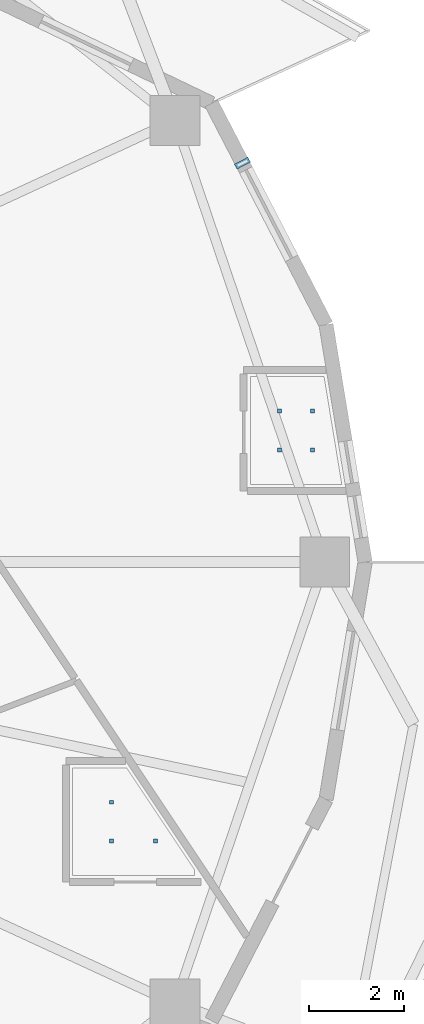
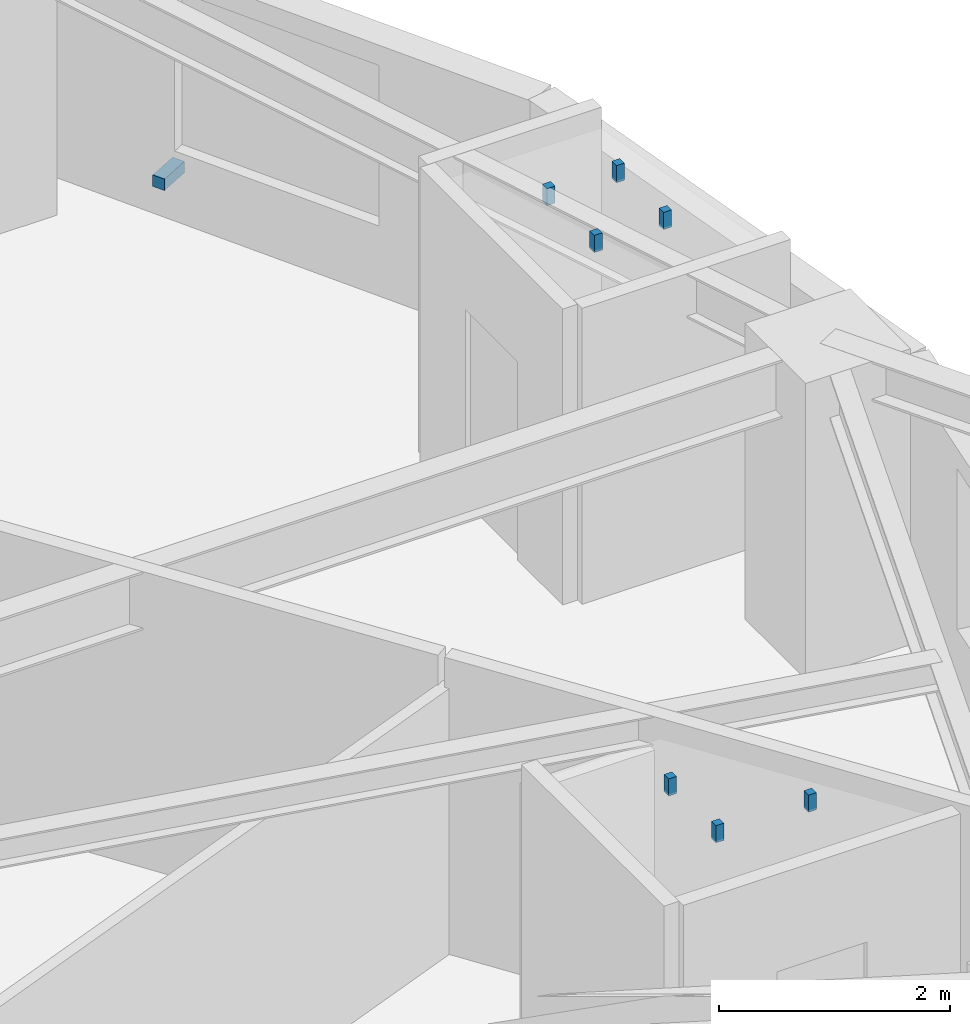
# One storey, part 13 of 18: 8 discrete accessories.
"""IFC4 building model written with IfcOpenShell, lengths in metres."""

import ifcopenshell
import ifcopenshell.guid

model = None  # the IFC model being written
_history = None  # IfcOwnerHistory: only IFC2X3 demands one
_inside = {}  # id of a spatial element -> (the spatial element, [elements in it])
_under = {}  # id of a project, library or spatial element -> (it, [spatial elements below it])
_declared = {}  # id of a project -> (the project, [libraries it declares])
_typed = {}  # id of a type object -> (the type object, [elements of that type])
_made_of = {}  # id of a material, layer set ... -> (it, [elements and type objects made of it])


def new_model(schema):
    """Start an empty IFC model of exactly this schema.

    Asked for "IFC4X3", IfcOpenShell would pick the latest addendum, in which some entities
    have other attributes; the version numbers below select the first issue.
    IFC2X3 requires an IfcOwnerHistory on every rooted entity: one is made here for all.
    """
    global model, _history
    if schema == "IFC4X3":
        model = ifcopenshell.file(schema_version=(4, 3, 0, 0))
    else:
        model = ifcopenshell.file(schema=schema)
    _inside.clear()
    _under.clear()
    _declared.clear()
    _typed.clear()
    _made_of.clear()
    _history = None
    if model.schema == "IFC2X3":
        org = make("IfcOrganization", Name="unknown")
        user = make(
            "IfcPersonAndOrganization",
            ThePerson=make("IfcPerson", FamilyName="unknown"),
            TheOrganization=org,
        )
        app = make(
            "IfcApplication",
            ApplicationDeveloper=org,
            Version="unknown",
            ApplicationFullName="unknown",
            ApplicationIdentifier="unknown",
        )
        _history = make(
            "IfcOwnerHistory",
            OwningUser=user,
            OwningApplication=app,
            ChangeAction="ADDED",
            CreationDate=0,
        )
    return model


def make(cls, **values):
    """One entity of the class cls with the attributes given. An attribute that is None is left unset."""
    return model.create_entity(
        cls, **{name: value for name, value in values.items() if value is not None}
    )


def rooted(cls, **values):
    """An entity with a GlobalId (a new one), such as an element, a storey or a relation."""
    return make(cls, GlobalId=ifcopenshell.guid.new(), OwnerHistory=_history, **values)


def si_unit(unit_type, name, prefix=None):
    """IfcSIUnit, for example si_unit("LENGTHUNIT", "METRE", prefix="MILLI")."""
    return make("IfcSIUnit", UnitType=unit_type, Prefix=prefix, Name=name)


def assignment(units):
    """IfcUnitAssignment: the units of a project."""
    return None if units is None else make("IfcUnitAssignment", Units=units)


def point(xyz):
    """IfcCartesianPoint."""
    return None if xyz is None else make("IfcCartesianPoint", Coordinates=xyz)


def direction(xyz):
    """IfcDirection."""
    return None if xyz is None else make("IfcDirection", DirectionRatios=xyz)


def frame(location, z_axis=None, x_axis=None):
    """IfcAxis2Placement3D, a coordinate frame: its origin and axes. An axis left out is left unset."""
    return make(
        "IfcAxis2Placement3D",
        Location=point(location),
        Axis=direction(z_axis),
        RefDirection=direction(x_axis),
    )


def frame_2d(location, x_axis=None):
    """IfcAxis2Placement2D, a coordinate frame in the plane: its origin and x axis."""
    return make(
        "IfcAxis2Placement2D", Location=point(location), RefDirection=direction(x_axis)
    )


def origin():
    """The frame at (0, 0, 0) with its axes left unset."""
    return frame((0.0, 0.0, 0.0))


def origin_2d():
    """The frame at (0, 0) in the plane with its x axis left unset."""
    return frame_2d((0.0, 0.0))


def place(relative_to, where):
    """IfcLocalPlacement: puts the frame where relative to a parent placement (None: the world)."""
    return make(
        "IfcLocalPlacement", PlacementRelTo=relative_to, RelativePlacement=where
    )


def context(
    kind, dimensions, precision=None, world=None, true_north=None, identifier=None
):
    """IfcGeometricRepresentationContext, for example the 3D "Model" context."""
    return make(
        "IfcGeometricRepresentationContext",
        ContextIdentifier=identifier,
        ContextType=kind,
        CoordinateSpaceDimension=dimensions,
        Precision=precision,
        WorldCoordinateSystem=world,
        TrueNorth=true_north,
    )


def subcontext(parent, identifier, kind, view, scale=None):
    """IfcGeometricRepresentationSubContext, for example "Body" below "Model"."""
    return make(
        "IfcGeometricRepresentationSubContext",
        ContextIdentifier=identifier,
        ContextType=kind,
        ParentContext=parent,
        TargetScale=scale,
        TargetView=view,
    )


def project(units=None, contexts=None):
    """IfcProject with its units and contexts."""
    return rooted(
        "IfcProject",
        Name="project",
        RepresentationContexts=contexts,
        UnitsInContext=assignment(units),
    )


def spatial(cls, under=None, at=None, **own):
    """A site, building, storey or space (cls), placed at a placement, below another one or the project."""
    s = rooted(cls, ObjectPlacement=at, **own)
    if under is not None:
        _under.setdefault(under.id(), (under, []))[1].append(s)
    return s


def profile(cls, at=None, kind="AREA", **sizes):
    """A parametric profile (cls). Its sizes go by their IFC names, for example OverallWidth=200.0."""
    return make(cls, ProfileType=kind, Position=at, **sizes)


def rectangle(**sizes):
    """IfcRectangleProfileDef."""
    return profile("IfcRectangleProfileDef", **sizes)


def extrude(swept, where, along, depth):
    """IfcExtrudedAreaSolid: the profile swept, set in the frame where, extruded along a direction by depth."""
    return make(
        "IfcExtrudedAreaSolid",
        SweptArea=swept,
        Position=where,
        ExtrudedDirection=direction(along),
        Depth=depth,
    )


def shape(context_of_items, identifier, shape_type, items):
    """IfcShapeRepresentation: the items that make up one representation, for example the "Body"."""
    return make(
        "IfcShapeRepresentation",
        ContextOfItems=context_of_items,
        RepresentationIdentifier=identifier,
        RepresentationType=shape_type,
        Items=items,
    )


def material(Name=None, Category=None):
    """IfcMaterial."""
    return make("IfcMaterial", Name=Name, Category=Category)


def made_of(thing, what):
    """Note that an element or type object is made of a material, layer set ...; save() writes the relation."""
    if what is not None:
        _made_of.setdefault(what.id(), (what, []))[1].append(thing)
    return thing


def type_object(cls, material=None, **own):
    """A type object (cls), such as IfcWallType, which elements share."""
    return made_of(rooted(cls, **own), material)


def element(
    cls,
    number,
    at=None,
    inside=None,
    cuts=None,
    type_object=None,
    material=None,
    context=None,
    identifier="Body",
    shape_type=None,
    held_by="IfcProductDefinitionShape",
    body=None,
    shapes=None,
    **own,
):
    """One element of the class cls, such as IfcWall. Its Tag is "e" and its number.

    at: its placement. inside: the storey or other place that contains it. cuts: it is an
    opening in that element (IfcRelVoidsElement). A single representation is given by context,
    identifier, shape_type and body (its items); several are given by shapes. held_by: the class
    of the entity that holds the representations. save() writes the other relations.
    """
    e = rooted(cls, Tag="e%d" % number, ObjectPlacement=at, **own)
    if body is not None:
        shapes = [shape(context, identifier, shape_type, body)]
    if shapes is not None:
        e.Representation = make(held_by, Representations=shapes)
    if inside is not None:
        _inside.setdefault(inside.id(), (inside, []))[1].append(e)
    if cuts is not None:
        rooted(
            "IfcRelVoidsElement", RelatingBuildingElement=cuts, RelatedOpeningElement=e
        )
    if type_object is not None:
        _typed.setdefault(type_object.id(), (type_object, []))[1].append(e)
    return made_of(e, material)


def aggregate(whole, parts):
    """IfcRelAggregates: a whole, such as a stair, and the parts it consists of."""
    return rooted("IfcRelAggregates", RelatingObject=whole, RelatedObjects=parts)


def save(model, path):
    """Write the relations noted so far, then the file.

    IfcRelAggregates (storeys below a building ...), IfcRelContainedInSpatialStructure (elements
    in a storey), IfcRelDefinesByType, IfcRelAssociatesMaterial and IfcRelDeclares: one each for
    every whole, place, type object, material and project.
    """
    for whole, parts in _under.values():
        aggregate(whole, parts)
    for where, things in _inside.values():
        rooted(
            "IfcRelContainedInSpatialStructure",
            RelatedElements=things,
            RelatingStructure=where,
        )
    for kind, things in _typed.values():
        rooted("IfcRelDefinesByType", RelatedObjects=things, RelatingType=kind)
    for what, things in _made_of.values():
        rooted("IfcRelAssociatesMaterial", RelatedObjects=things, RelatingMaterial=what)
    for by, libraries in _declared.values():
        rooted("IfcRelDeclares", RelatingContext=by, RelatedDefinitions=libraries)
    model.write(path)


model = new_model("IFC4")

# Units and contexts
model_context = context("Model", 3, precision=1e-05, world=origin(), true_north=direction((0.0, 1.0)))
body_context = subcontext(model_context, "Body", "Model", "MODEL_VIEW")
ifc_project = project(units=[si_unit("LENGTHUNIT", "METRE"), si_unit("AREAUNIT", "SQUARE_METRE"), si_unit("VOLUMEUNIT", "CUBIC_METRE"), si_unit("PLANEANGLEUNIT", "RADIAN"), si_unit("MASSUNIT", "GRAM", prefix="KILO")], contexts=[model_context])

# Site, building, storey
site_placement = place(None, origin())
site = spatial("IfcSite", under=ifc_project, at=site_placement, CompositionType="ELEMENT")
building_placement = place(site_placement, origin())
building = spatial("IfcBuilding", under=site, at=building_placement, Name="Kolvaren Gate Tower and Convention Centre", CompositionType="ELEMENT")
storey_placement = place(building_placement, frame((0.0, 0.0, 108.699951171875)))
storey = spatial("IfcBuildingStorey", under=building, at=storey_placement, Name="L26", CompositionType="ELEMENT", Elevation=108.699951171875)

# Discrete accessories
ifc_material_1 = material(Name="Anodized Architectural Aluminium Alloy 6063-T6", Category="aluminium")
discrete_accessory_type_1 = type_object("IfcDiscreteAccessoryType", Name="ARCH-ACC-BRACKET-120", PredefinedType="BRACKET", material=ifc_material_1)
discrete_accessory_placement = place(storey_placement, frame((51.72412109375, 35.415771484375, 0.2900390625), z_axis=(0.0, 0.0, 1.0), x_axis=(0.459781360558, -0.888032150591, 0.0)))
element("IfcDiscreteAccessory", 1, at=discrete_accessory_placement, inside=storey, type_object=discrete_accessory_type_1, Name="Ceramic Fin Wall Anchor Bracket FBK-L26-01", PredefinedType="BRACKET", context=body_context, shape_type="SweptSolid", body=[
    extrude(rectangle(XDim=0.1201171875, YDim=0.320068359375, at=origin_2d()), origin(), (0.0, 0.0, 1.0), 0.1201171875),
])
ifc_material_2 = material(Name="Brushed Stainless Steel Grade 316L", Category="steel")
discrete_accessory_type_2 = type_object("IfcDiscreteAccessoryType", Name="ARCH-ACC-HANGER-80", PredefinedType="BRACKET", material=ifc_material_2)
for number, where, z_axis, x_axis, name in (
    (2, (48.9619140625, 21.115966796875, 2.9501953125), (0.0, 0.0, 1.0), (1.0, 0.0, 0.0), "En-suite Bathroom (HTL-L26-03) Ceiling Suspension Hanger Clip 1"),
    (3, (49.887939453125, 21.115966796875, 2.9501953125), (0.0, 0.0, 1.0), (1.0, 0.0, 0.0), "En-suite Bathroom (HTL-L26-03) Ceiling Suspension Hanger Clip 2"),
    (4, (48.9619140625, 21.93408203125, 2.9501953125), (0.0, 0.0, 1.0), (1.0, 0.0, 0.0), "En-suite Bathroom (HTL-L26-03) Ceiling Suspension Hanger Clip 3"),
    (5, (52.508056640625, 29.365966796875, 2.9501953125), (0.0, 0.0, 1.0), (1.0, 0.0, 0.0), "En-suite Bathroom (HTL-L26-05) Ceiling Suspension Hanger Clip 1"),
    (6, (53.201904296875, 29.365966796875, 2.9501953125), (0.0, 0.0, 1.0), (1.0, 0.0, 0.0), "En-suite Bathroom (HTL-L26-05) Ceiling Suspension Hanger Clip 2"),
    (7, (52.508056640625, 30.18408203125, 2.9501953125), (0.0, 0.0, 1.0), (1.0, 0.0, 0.0), "En-suite Bathroom (HTL-L26-05) Ceiling Suspension Hanger Clip 3"),
    (8, (53.201904296875, 30.18408203125, 2.9501953125), (0.0, 0.0, 1.0), (1.0, 0.0, 0.0), "En-suite Bathroom (HTL-L26-05) Ceiling Suspension Hanger Clip 4"),
):
    element("IfcDiscreteAccessory", number, at=place(storey_placement, frame(where, z_axis=z_axis, x_axis=x_axis)), inside=storey, type_object=discrete_accessory_type_2, Name=name, PredefinedType="BRACKET", context=body_context, shape_type="SweptSolid", body=[
        extrude(rectangle(XDim=0.080078125, YDim=0.080078125, at=origin_2d()), origin(), (0.0, 0.0, 1.0), 0.179931640625),
    ])

save(model, "model.ifc")
